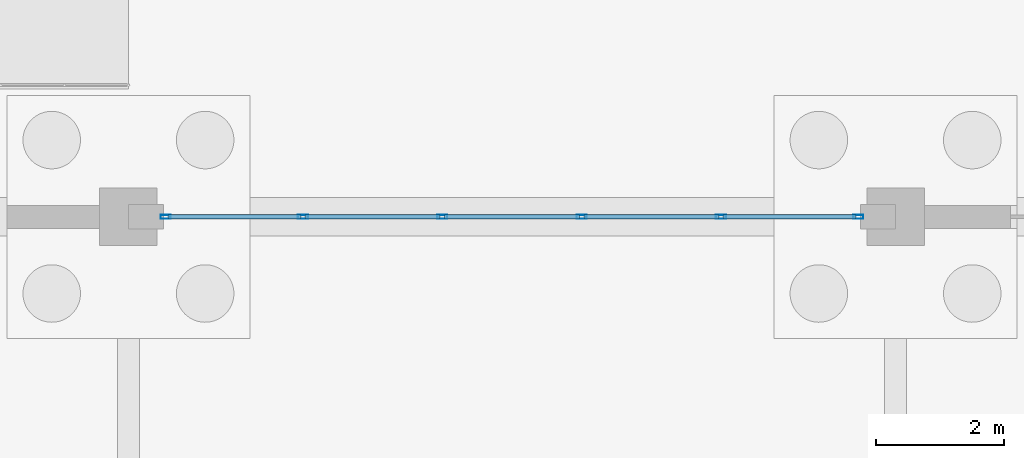
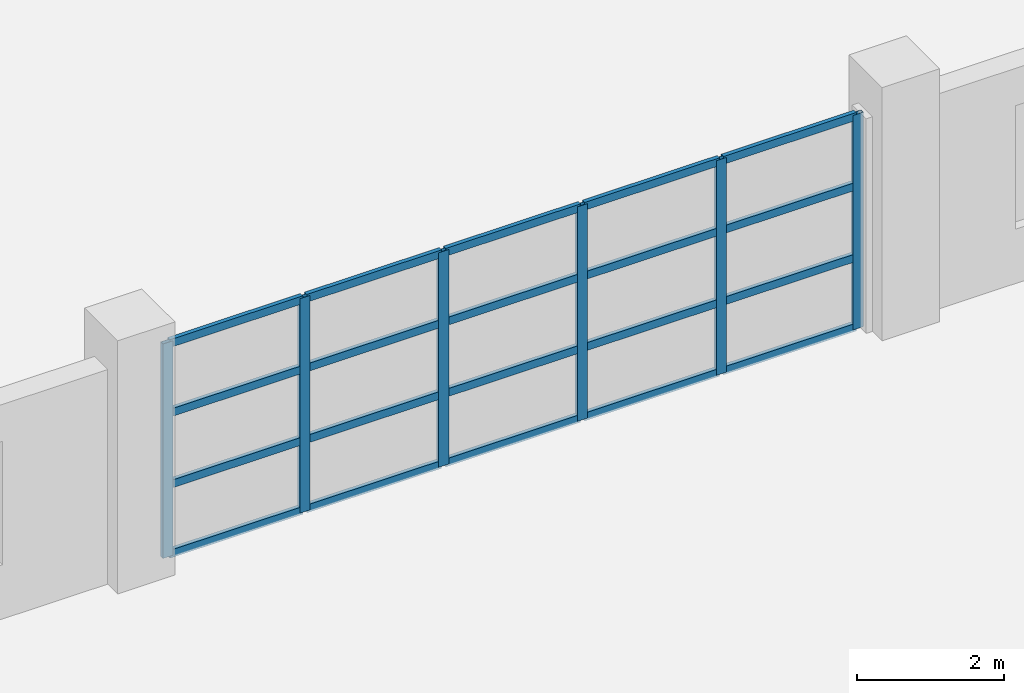
# One storey, part 38 of 77: 26 members, 1 element without a shape of its own.
"""IFC4 building model written with IfcOpenShell, lengths in metres."""

from ifc_helpers import new_model, si_unit, direction, frame, origin, origin_2d, place, context, subcontext, project, spatial, hollow_rectangle, extrude, material, layer, layer_set, material_profile, profile_set, type_object, element, aggregate, save


model = new_model("IFC4")

# Units and contexts
model_context = context("Model", 3, precision=1e-05, world=origin(), true_north=direction((0.0, 1.0)))
body_context = subcontext(model_context, "Body", "Model", "MODEL_VIEW")
ifc_project = project(units=[si_unit("LENGTHUNIT", "METRE"), si_unit("AREAUNIT", "SQUARE_METRE"), si_unit("VOLUMEUNIT", "CUBIC_METRE"), si_unit("PLANEANGLEUNIT", "RADIAN"), si_unit("MASSUNIT", "GRAM", prefix="KILO")], contexts=[model_context])

# Site, building, storey
site_placement = place(None, origin())
site = spatial("IfcSite", under=ifc_project, at=site_placement, CompositionType="ELEMENT")
building_placement = place(site_placement, origin())
building = spatial("IfcBuilding", under=site, at=building_placement, Name="Zilviju Railside Exhibition Hall", CompositionType="ELEMENT")
storey_placement = place(building_placement, origin())
storey = spatial("IfcBuildingStorey", under=building, at=storey_placement, Name="L01", CompositionType="ELEMENT", Elevation=0.0)

# Curtain wall, members
ifc_material_1 = material(Name="Thermally broken aluminium-steel triple-glazed curtain wall", Category="steel")
ifc_layer = layer(ifc_material_1, 0.179931640625)
ifc_layer_set = layer_set([ifc_layer], Name="Thermally broken aluminium-steel triple-glazed curtain wall")
curtain_wall_type = type_object("IfcCurtainWallType", Name="CW-BAY-02", PredefinedType="USERDEFINED", material=ifc_layer_set)
curtain_wall_placement = place(storey_placement, origin())
curtain_wall = element("IfcCurtainWall", 1, at=curtain_wall_placement, inside=storey, type_object=curtain_wall_type, Name="South Hall Garden Court Curtain Wall L01 (108..120)", ObjectType="GLAZED CURTAIN WALL", PredefinedType="USERDEFINED")
ifc_material_2 = material(Name="Thermally broken anodized aluminium mullion", Category="aluminium")
ifc_material_profile_1 = material_profile(ifc_material_2, hollow_rectangle(XDim=0.06494140625, YDim=0.159912109375, WallThickness=0.0048828125, at=origin_2d()), Name="MULLION 160x65x5")
ifc_profile_set_1 = profile_set([ifc_material_profile_1], Name="Thermally broken anodized aluminium mullion")
member_type_1 = type_object("IfcMemberType", Name="CWM-65x160", PredefinedType="MULLION", material=ifc_profile_set_1)
member_1_placement = place(storey_placement, frame((108.58251953125, 54.0, 0.0), z_axis=(0.0, 0.0, 1.0), x_axis=(0.0, 1.0, 0.0)))
member_1 = element("IfcMember", 2, at=member_1_placement, type_object=member_type_1, Name="CW-02 mullion 1", PredefinedType="MULLION", context=body_context, shape_type="SweptSolid", body=[
    extrude(hollow_rectangle(XDim=0.06494140625, YDim=0.159912109375, WallThickness=0.0048828125, at=origin_2d()), origin(), (0.0, 0.0, 1.0), 3.56005859375),
])
member_2_placement = place(storey_placement, frame((110.72998046875, 54.0, 0.0), z_axis=(0.0, 0.0, 1.0), x_axis=(0.0, 1.0, 0.0)))
member_2 = element("IfcMember", 3, at=member_2_placement, type_object=member_type_1, Name="CW-02 mullion 2", PredefinedType="MULLION", context=body_context, shape_type="SweptSolid", body=[
    extrude(hollow_rectangle(XDim=0.06494140625, YDim=0.159912109375, WallThickness=0.0048828125, at=origin_2d()), origin(), (0.0, 0.0, 1.0), 3.56005859375),
])
member_3_placement = place(storey_placement, frame((112.909912109375, 54.0, 0.0), z_axis=(0.0, 0.0, 1.0), x_axis=(0.0, 1.0, 0.0)))
member_3 = element("IfcMember", 4, at=member_3_placement, type_object=member_type_1, Name="CW-02 mullion 3", PredefinedType="MULLION", context=body_context, shape_type="SweptSolid", body=[
    extrude(hollow_rectangle(XDim=0.06494140625, YDim=0.159912109375, WallThickness=0.0048828125, at=origin_2d()), origin(), (0.0, 0.0, 1.0), 3.56005859375),
])
member_4_placement = place(storey_placement, frame((115.090087890625, 54.0, 0.0), z_axis=(0.0, 0.0, 1.0), x_axis=(0.0, 1.0, 0.0)))
member_4 = element("IfcMember", 5, at=member_4_placement, type_object=member_type_1, Name="CW-02 mullion 4", PredefinedType="MULLION", context=body_context, shape_type="SweptSolid", body=[
    extrude(hollow_rectangle(XDim=0.06494140625, YDim=0.159912109375, WallThickness=0.0048828125, at=origin_2d()), origin(), (0.0, 0.0, 1.0), 3.56005859375),
])
member_5_placement = place(storey_placement, frame((117.27001953125, 54.0, 0.0), z_axis=(0.0, 0.0, 1.0), x_axis=(0.0, 1.0, 0.0)))
member_5 = element("IfcMember", 6, at=member_5_placement, type_object=member_type_1, Name="CW-02 mullion 5", PredefinedType="MULLION", context=body_context, shape_type="SweptSolid", body=[
    extrude(hollow_rectangle(XDim=0.06494140625, YDim=0.159912109375, WallThickness=0.0048828125, at=origin_2d()), origin(), (0.0, 0.0, 1.0), 3.56005859375),
])
member_6_placement = place(storey_placement, frame((119.41748046875, 54.0, 0.0), z_axis=(0.0, 0.0, 1.0), x_axis=(0.0, 1.0, 0.0)))
member_6 = element("IfcMember", 7, at=member_6_placement, type_object=member_type_1, Name="CW-02 mullion 6", PredefinedType="MULLION", context=body_context, shape_type="SweptSolid", body=[
    extrude(hollow_rectangle(XDim=0.06494140625, YDim=0.159912109375, WallThickness=0.0048828125, at=origin_2d()), origin(), (0.0, 0.0, 1.0), 3.56005859375),
])
ifc_material_3 = material(Name="Thermally broken anodized aluminium transom", Category="aluminium")
ifc_material_profile_2 = material_profile(ifc_material_3, hollow_rectangle(XDim=0.06494140625, YDim=0.1298828125, WallThickness=0.0048828125, at=origin_2d()), Name="TRANSOM 130x65x5")
ifc_profile_set_2 = profile_set([ifc_material_profile_2], Name="Thermally broken anodized aluminium transom")
member_type_2 = type_object("IfcMemberType", Name="CWT-65x130", PredefinedType="USERDEFINED", material=ifc_profile_set_2)
member_7_placement = place(storey_placement, frame((108.614990234375, 54.0, 0.032470703125), z_axis=(1.0, 0.0, 0.0), x_axis=(0.0, 1.0, 0.0)))
member_7 = element("IfcMember", 8, at=member_7_placement, type_object=member_type_2, Name="CW-02 transom 1.1", ObjectType="TRANSOM", PredefinedType="USERDEFINED", context=body_context, shape_type="SweptSolid", body=[
    extrude(hollow_rectangle(XDim=0.06494140625, YDim=0.1298828125, WallThickness=0.0048828125, at=origin_2d()), origin(), (0.0, 0.0, 1.0), 2.08251953125),
])
member_8_placement = place(storey_placement, frame((108.614990234375, 54.0, 1.18701171875), z_axis=(1.0, 0.0, 0.0), x_axis=(0.0, 1.0, 0.0)))
member_8 = element("IfcMember", 9, at=member_8_placement, type_object=member_type_2, Name="CW-02 transom 1.2", ObjectType="TRANSOM", PredefinedType="USERDEFINED", context=body_context, shape_type="SweptSolid", body=[
    extrude(hollow_rectangle(XDim=0.06494140625, YDim=0.1298828125, WallThickness=0.0048828125, at=origin_2d()), origin(), (0.0, 0.0, 1.0), 2.08251953125),
])
member_9_placement = place(storey_placement, frame((108.614990234375, 54.0, 2.373046875), z_axis=(1.0, 0.0, 0.0), x_axis=(0.0, 1.0, 0.0)))
member_9 = element("IfcMember", 10, at=member_9_placement, type_object=member_type_2, Name="CW-02 transom 1.3", ObjectType="TRANSOM", PredefinedType="USERDEFINED", context=body_context, shape_type="SweptSolid", body=[
    extrude(hollow_rectangle(XDim=0.06494140625, YDim=0.1298828125, WallThickness=0.0048828125, at=origin_2d()), origin(), (0.0, 0.0, 1.0), 2.08251953125),
])
member_10_placement = place(storey_placement, frame((108.614990234375, 54.0, 3.527587890625), z_axis=(1.0, 0.0, 0.0), x_axis=(0.0, 1.0, 0.0)))
member_10 = element("IfcMember", 11, at=member_10_placement, type_object=member_type_2, Name="CW-02 transom 1.4", ObjectType="TRANSOM", PredefinedType="USERDEFINED", context=body_context, shape_type="SweptSolid", body=[
    extrude(hollow_rectangle(XDim=0.06494140625, YDim=0.1298828125, WallThickness=0.0048828125, at=origin_2d()), origin(), (0.0, 0.0, 1.0), 2.08251953125),
])
member_11_placement = place(storey_placement, frame((110.762451171875, 54.0, 0.032470703125), z_axis=(1.0, 0.0, 0.0), x_axis=(0.0, 1.0, 0.0)))
member_11 = element("IfcMember", 12, at=member_11_placement, type_object=member_type_2, Name="CW-02 transom 2.1", ObjectType="TRANSOM", PredefinedType="USERDEFINED", context=body_context, shape_type="SweptSolid", body=[
    extrude(hollow_rectangle(XDim=0.06494140625, YDim=0.1298828125, WallThickness=0.0048828125, at=origin_2d()), origin(), (0.0, 0.0, 1.0), 2.114990234375),
])
member_12_placement = place(storey_placement, frame((110.762451171875, 54.0, 1.18701171875), z_axis=(1.0, 0.0, 0.0), x_axis=(0.0, 1.0, 0.0)))
member_12 = element("IfcMember", 13, at=member_12_placement, type_object=member_type_2, Name="CW-02 transom 2.2", ObjectType="TRANSOM", PredefinedType="USERDEFINED", context=body_context, shape_type="SweptSolid", body=[
    extrude(hollow_rectangle(XDim=0.06494140625, YDim=0.1298828125, WallThickness=0.0048828125, at=origin_2d()), origin(), (0.0, 0.0, 1.0), 2.114990234375),
])
member_13_placement = place(storey_placement, frame((110.762451171875, 54.0, 2.373046875), z_axis=(1.0, 0.0, 0.0), x_axis=(0.0, 1.0, 0.0)))
member_13 = element("IfcMember", 14, at=member_13_placement, type_object=member_type_2, Name="CW-02 transom 2.3", ObjectType="TRANSOM", PredefinedType="USERDEFINED", context=body_context, shape_type="SweptSolid", body=[
    extrude(hollow_rectangle(XDim=0.06494140625, YDim=0.1298828125, WallThickness=0.0048828125, at=origin_2d()), origin(), (0.0, 0.0, 1.0), 2.114990234375),
])
member_14_placement = place(storey_placement, frame((110.762451171875, 54.0, 3.527587890625), z_axis=(1.0, 0.0, 0.0), x_axis=(0.0, 1.0, 0.0)))
member_14 = element("IfcMember", 15, at=member_14_placement, type_object=member_type_2, Name="CW-02 transom 2.4", ObjectType="TRANSOM", PredefinedType="USERDEFINED", context=body_context, shape_type="SweptSolid", body=[
    extrude(hollow_rectangle(XDim=0.06494140625, YDim=0.1298828125, WallThickness=0.0048828125, at=origin_2d()), origin(), (0.0, 0.0, 1.0), 2.114990234375),
])
member_15_placement = place(storey_placement, frame((112.9423828125, 54.0, 0.032470703125), z_axis=(1.0, 0.0, 0.0), x_axis=(0.0, 1.0, 0.0)))
member_15 = element("IfcMember", 16, at=member_15_placement, type_object=member_type_2, Name="CW-02 transom 3.1", ObjectType="TRANSOM", PredefinedType="USERDEFINED", context=body_context, shape_type="SweptSolid", body=[
    extrude(hollow_rectangle(XDim=0.06494140625, YDim=0.1298828125, WallThickness=0.0048828125, at=origin_2d()), origin(), (0.0, 0.0, 1.0), 2.115234375),
])
member_16_placement = place(storey_placement, frame((112.9423828125, 54.0, 1.18701171875), z_axis=(1.0, 0.0, 0.0), x_axis=(0.0, 1.0, 0.0)))
member_16 = element("IfcMember", 17, at=member_16_placement, type_object=member_type_2, Name="CW-02 transom 3.2", ObjectType="TRANSOM", PredefinedType="USERDEFINED", context=body_context, shape_type="SweptSolid", body=[
    extrude(hollow_rectangle(XDim=0.06494140625, YDim=0.1298828125, WallThickness=0.0048828125, at=origin_2d()), origin(), (0.0, 0.0, 1.0), 2.115234375),
])
member_17_placement = place(storey_placement, frame((112.9423828125, 54.0, 2.373046875), z_axis=(1.0, 0.0, 0.0), x_axis=(0.0, 1.0, 0.0)))
member_17 = element("IfcMember", 18, at=member_17_placement, type_object=member_type_2, Name="CW-02 transom 3.3", ObjectType="TRANSOM", PredefinedType="USERDEFINED", context=body_context, shape_type="SweptSolid", body=[
    extrude(hollow_rectangle(XDim=0.06494140625, YDim=0.1298828125, WallThickness=0.0048828125, at=origin_2d()), origin(), (0.0, 0.0, 1.0), 2.115234375),
])
member_18_placement = place(storey_placement, frame((112.9423828125, 54.0, 3.527587890625), z_axis=(1.0, 0.0, 0.0), x_axis=(0.0, 1.0, 0.0)))
member_18 = element("IfcMember", 19, at=member_18_placement, type_object=member_type_2, Name="CW-02 transom 3.4", ObjectType="TRANSOM", PredefinedType="USERDEFINED", context=body_context, shape_type="SweptSolid", body=[
    extrude(hollow_rectangle(XDim=0.06494140625, YDim=0.1298828125, WallThickness=0.0048828125, at=origin_2d()), origin(), (0.0, 0.0, 1.0), 2.115234375),
])
member_19_placement = place(storey_placement, frame((115.12255859375, 54.0, 0.032470703125), z_axis=(1.0, 0.0, 0.0), x_axis=(0.0, 1.0, 0.0)))
member_19 = element("IfcMember", 20, at=member_19_placement, type_object=member_type_2, Name="CW-02 transom 4.1", ObjectType="TRANSOM", PredefinedType="USERDEFINED", context=body_context, shape_type="SweptSolid", body=[
    extrude(hollow_rectangle(XDim=0.06494140625, YDim=0.1298828125, WallThickness=0.0048828125, at=origin_2d()), origin(), (0.0, 0.0, 1.0), 2.114990234375),
])
member_20_placement = place(storey_placement, frame((115.12255859375, 54.0, 1.18701171875), z_axis=(1.0, 0.0, 0.0), x_axis=(0.0, 1.0, 0.0)))
member_20 = element("IfcMember", 21, at=member_20_placement, type_object=member_type_2, Name="CW-02 transom 4.2", ObjectType="TRANSOM", PredefinedType="USERDEFINED", context=body_context, shape_type="SweptSolid", body=[
    extrude(hollow_rectangle(XDim=0.06494140625, YDim=0.1298828125, WallThickness=0.0048828125, at=origin_2d()), origin(), (0.0, 0.0, 1.0), 2.114990234375),
])
member_21_placement = place(storey_placement, frame((115.12255859375, 54.0, 2.373046875), z_axis=(1.0, 0.0, 0.0), x_axis=(0.0, 1.0, 0.0)))
member_21 = element("IfcMember", 22, at=member_21_placement, type_object=member_type_2, Name="CW-02 transom 4.3", ObjectType="TRANSOM", PredefinedType="USERDEFINED", context=body_context, shape_type="SweptSolid", body=[
    extrude(hollow_rectangle(XDim=0.06494140625, YDim=0.1298828125, WallThickness=0.0048828125, at=origin_2d()), origin(), (0.0, 0.0, 1.0), 2.114990234375),
])
member_22_placement = place(storey_placement, frame((115.12255859375, 54.0, 3.527587890625), z_axis=(1.0, 0.0, 0.0), x_axis=(0.0, 1.0, 0.0)))
member_22 = element("IfcMember", 23, at=member_22_placement, type_object=member_type_2, Name="CW-02 transom 4.4", ObjectType="TRANSOM", PredefinedType="USERDEFINED", context=body_context, shape_type="SweptSolid", body=[
    extrude(hollow_rectangle(XDim=0.06494140625, YDim=0.1298828125, WallThickness=0.0048828125, at=origin_2d()), origin(), (0.0, 0.0, 1.0), 2.114990234375),
])
member_23_placement = place(storey_placement, frame((117.302490234375, 54.0, 0.032470703125), z_axis=(1.0, 0.0, 0.0), x_axis=(0.0, 1.0, 0.0)))
member_23 = element("IfcMember", 24, at=member_23_placement, type_object=member_type_2, Name="CW-02 transom 5.1", ObjectType="TRANSOM", PredefinedType="USERDEFINED", context=body_context, shape_type="SweptSolid", body=[
    extrude(hollow_rectangle(XDim=0.06494140625, YDim=0.1298828125, WallThickness=0.0048828125, at=origin_2d()), origin(), (0.0, 0.0, 1.0), 2.08251953125),
])
member_24_placement = place(storey_placement, frame((117.302490234375, 54.0, 1.18701171875), z_axis=(1.0, 0.0, 0.0), x_axis=(0.0, 1.0, 0.0)))
member_24 = element("IfcMember", 25, at=member_24_placement, type_object=member_type_2, Name="CW-02 transom 5.2", ObjectType="TRANSOM", PredefinedType="USERDEFINED", context=body_context, shape_type="SweptSolid", body=[
    extrude(hollow_rectangle(XDim=0.06494140625, YDim=0.1298828125, WallThickness=0.0048828125, at=origin_2d()), origin(), (0.0, 0.0, 1.0), 2.08251953125),
])
member_25_placement = place(storey_placement, frame((117.302490234375, 54.0, 2.373046875), z_axis=(1.0, 0.0, 0.0), x_axis=(0.0, 1.0, 0.0)))
member_25 = element("IfcMember", 26, at=member_25_placement, type_object=member_type_2, Name="CW-02 transom 5.3", ObjectType="TRANSOM", PredefinedType="USERDEFINED", context=body_context, shape_type="SweptSolid", body=[
    extrude(hollow_rectangle(XDim=0.06494140625, YDim=0.1298828125, WallThickness=0.0048828125, at=origin_2d()), origin(), (0.0, 0.0, 1.0), 2.08251953125),
])
member_26_placement = place(storey_placement, frame((117.302490234375, 54.0, 3.527587890625), z_axis=(1.0, 0.0, 0.0), x_axis=(0.0, 1.0, 0.0)))
member_26 = element("IfcMember", 27, at=member_26_placement, type_object=member_type_2, Name="CW-02 transom 5.4", ObjectType="TRANSOM", PredefinedType="USERDEFINED", context=body_context, shape_type="SweptSolid", body=[
    extrude(hollow_rectangle(XDim=0.06494140625, YDim=0.1298828125, WallThickness=0.0048828125, at=origin_2d()), origin(), (0.0, 0.0, 1.0), 2.08251953125),
])
aggregate(curtain_wall, [member_1, member_2, member_3, member_4, member_5, member_6, member_7, member_8, member_9, member_10, member_11, member_12, member_13, member_14, member_15, member_16, member_17, member_18, member_19, member_20, member_21, member_22, member_23, member_24, member_25, member_26])

save(model, "model.ifc")
